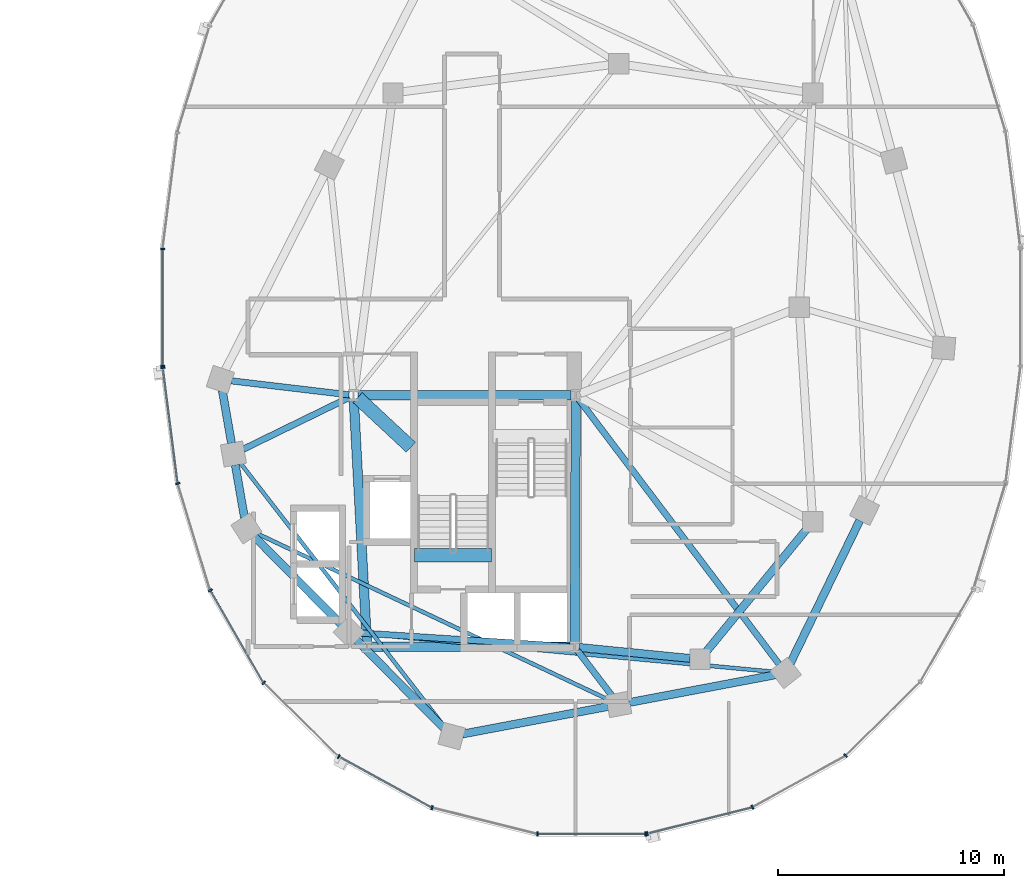
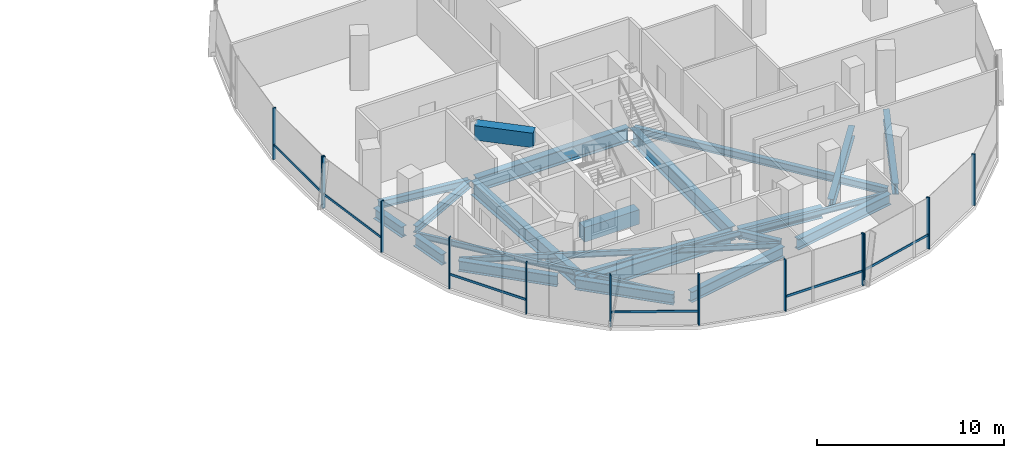
# One storey, part 6 of 22: 23 beams, 19 members, 3 elements without a shape of their own.
"""IFC4 building model written with IfcOpenShell, lengths in metres."""

import ifcopenshell
import ifcopenshell.guid

model = None  # the IFC model being written
_history = None  # IfcOwnerHistory: only IFC2X3 demands one
_inside = {}  # id of a spatial element -> (the spatial element, [elements in it])
_under = {}  # id of a project, library or spatial element -> (it, [spatial elements below it])
_declared = {}  # id of a project -> (the project, [libraries it declares])
_typed = {}  # id of a type object -> (the type object, [elements of that type])
_made_of = {}  # id of a material, layer set ... -> (it, [elements and type objects made of it])


def new_model(schema):
    """Start an empty IFC model of exactly this schema.

    Asked for "IFC4X3", IfcOpenShell would pick the latest addendum, in which some entities
    have other attributes; the version numbers below select the first issue.
    IFC2X3 requires an IfcOwnerHistory on every rooted entity: one is made here for all.
    """
    global model, _history
    if schema == "IFC4X3":
        model = ifcopenshell.file(schema_version=(4, 3, 0, 0))
    else:
        model = ifcopenshell.file(schema=schema)
    _inside.clear()
    _under.clear()
    _declared.clear()
    _typed.clear()
    _made_of.clear()
    _history = None
    if model.schema == "IFC2X3":
        org = make("IfcOrganization", Name="unknown")
        user = make(
            "IfcPersonAndOrganization",
            ThePerson=make("IfcPerson", FamilyName="unknown"),
            TheOrganization=org,
        )
        app = make(
            "IfcApplication",
            ApplicationDeveloper=org,
            Version="unknown",
            ApplicationFullName="unknown",
            ApplicationIdentifier="unknown",
        )
        _history = make(
            "IfcOwnerHistory",
            OwningUser=user,
            OwningApplication=app,
            ChangeAction="ADDED",
            CreationDate=0,
        )
    return model


def make(cls, **values):
    """One entity of the class cls with the attributes given. An attribute that is None is left unset."""
    return model.create_entity(
        cls, **{name: value for name, value in values.items() if value is not None}
    )


def rooted(cls, **values):
    """An entity with a GlobalId (a new one), such as an element, a storey or a relation."""
    return make(cls, GlobalId=ifcopenshell.guid.new(), OwnerHistory=_history, **values)


def si_unit(unit_type, name, prefix=None):
    """IfcSIUnit, for example si_unit("LENGTHUNIT", "METRE", prefix="MILLI")."""
    return make("IfcSIUnit", UnitType=unit_type, Prefix=prefix, Name=name)


def assignment(units):
    """IfcUnitAssignment: the units of a project."""
    return None if units is None else make("IfcUnitAssignment", Units=units)


def point(xyz):
    """IfcCartesianPoint."""
    return None if xyz is None else make("IfcCartesianPoint", Coordinates=xyz)


def direction(xyz):
    """IfcDirection."""
    return None if xyz is None else make("IfcDirection", DirectionRatios=xyz)


def frame(location, z_axis=None, x_axis=None):
    """IfcAxis2Placement3D, a coordinate frame: its origin and axes. An axis left out is left unset."""
    return make(
        "IfcAxis2Placement3D",
        Location=point(location),
        Axis=direction(z_axis),
        RefDirection=direction(x_axis),
    )


def frame_2d(location, x_axis=None):
    """IfcAxis2Placement2D, a coordinate frame in the plane: its origin and x axis."""
    return make(
        "IfcAxis2Placement2D", Location=point(location), RefDirection=direction(x_axis)
    )


def origin():
    """The frame at (0, 0, 0) with its axes left unset."""
    return frame((0.0, 0.0, 0.0))


def origin_2d():
    """The frame at (0, 0) in the plane with its x axis left unset."""
    return frame_2d((0.0, 0.0))


def place(relative_to, where):
    """IfcLocalPlacement: puts the frame where relative to a parent placement (None: the world)."""
    return make(
        "IfcLocalPlacement", PlacementRelTo=relative_to, RelativePlacement=where
    )


def context(
    kind, dimensions, precision=None, world=None, true_north=None, identifier=None
):
    """IfcGeometricRepresentationContext, for example the 3D "Model" context."""
    return make(
        "IfcGeometricRepresentationContext",
        ContextIdentifier=identifier,
        ContextType=kind,
        CoordinateSpaceDimension=dimensions,
        Precision=precision,
        WorldCoordinateSystem=world,
        TrueNorth=true_north,
    )


def subcontext(parent, identifier, kind, view, scale=None):
    """IfcGeometricRepresentationSubContext, for example "Body" below "Model"."""
    return make(
        "IfcGeometricRepresentationSubContext",
        ContextIdentifier=identifier,
        ContextType=kind,
        ParentContext=parent,
        TargetScale=scale,
        TargetView=view,
    )


def project(units=None, contexts=None):
    """IfcProject with its units and contexts."""
    return rooted(
        "IfcProject",
        Name="project",
        RepresentationContexts=contexts,
        UnitsInContext=assignment(units),
    )


def spatial(cls, under=None, at=None, **own):
    """A site, building, storey or space (cls), placed at a placement, below another one or the project."""
    s = rooted(cls, ObjectPlacement=at, **own)
    if under is not None:
        _under.setdefault(under.id(), (under, []))[1].append(s)
    return s


def profile(cls, at=None, kind="AREA", **sizes):
    """A parametric profile (cls). Its sizes go by their IFC names, for example OverallWidth=200.0."""
    return make(cls, ProfileType=kind, Position=at, **sizes)


def rectangle(**sizes):
    """IfcRectangleProfileDef."""
    return profile("IfcRectangleProfileDef", **sizes)


def i_section(**sizes):
    """IfcIShapeProfileDef."""
    return profile("IfcIShapeProfileDef", **sizes)


def extrude(swept, where, along, depth):
    """IfcExtrudedAreaSolid: the profile swept, set in the frame where, extruded along a direction by depth."""
    return make(
        "IfcExtrudedAreaSolid",
        SweptArea=swept,
        Position=where,
        ExtrudedDirection=direction(along),
        Depth=depth,
    )


def shape(context_of_items, identifier, shape_type, items):
    """IfcShapeRepresentation: the items that make up one representation, for example the "Body"."""
    return make(
        "IfcShapeRepresentation",
        ContextOfItems=context_of_items,
        RepresentationIdentifier=identifier,
        RepresentationType=shape_type,
        Items=items,
    )


def material(Name=None, Category=None):
    """IfcMaterial."""
    return make("IfcMaterial", Name=Name, Category=Category)


def material_profile(
    of_material, cross_section, Name=None, Category=None, Priority=None
):
    """IfcMaterialProfile: a cross section and its material."""
    return make(
        "IfcMaterialProfile",
        Name=Name,
        Material=of_material,
        Profile=cross_section,
        Priority=Priority,
        Category=Category,
    )


def profile_set(profiles, Name=None, composite=None):
    """IfcMaterialProfileSet."""
    return make(
        "IfcMaterialProfileSet",
        Name=Name,
        MaterialProfiles=profiles,
        CompositeProfile=composite,
    )


def made_of(thing, what):
    """Note that an element or type object is made of a material, layer set ...; save() writes the relation."""
    if what is not None:
        _made_of.setdefault(what.id(), (what, []))[1].append(thing)
    return thing


def type_object(cls, material=None, **own):
    """A type object (cls), such as IfcWallType, which elements share."""
    return made_of(rooted(cls, **own), material)


def element(
    cls,
    number,
    at=None,
    inside=None,
    cuts=None,
    type_object=None,
    material=None,
    context=None,
    identifier="Body",
    shape_type=None,
    held_by="IfcProductDefinitionShape",
    body=None,
    shapes=None,
    **own,
):
    """One element of the class cls, such as IfcWall. Its Tag is "e" and its number.

    at: its placement. inside: the storey or other place that contains it. cuts: it is an
    opening in that element (IfcRelVoidsElement). A single representation is given by context,
    identifier, shape_type and body (its items); several are given by shapes. held_by: the class
    of the entity that holds the representations. save() writes the other relations.
    """
    e = rooted(cls, Tag="e%d" % number, ObjectPlacement=at, **own)
    if body is not None:
        shapes = [shape(context, identifier, shape_type, body)]
    if shapes is not None:
        e.Representation = make(held_by, Representations=shapes)
    if inside is not None:
        _inside.setdefault(inside.id(), (inside, []))[1].append(e)
    if cuts is not None:
        rooted(
            "IfcRelVoidsElement", RelatingBuildingElement=cuts, RelatedOpeningElement=e
        )
    if type_object is not None:
        _typed.setdefault(type_object.id(), (type_object, []))[1].append(e)
    return made_of(e, material)


def aggregate(whole, parts):
    """IfcRelAggregates: a whole, such as a stair, and the parts it consists of."""
    return rooted("IfcRelAggregates", RelatingObject=whole, RelatedObjects=parts)


def save(model, path):
    """Write the relations noted so far, then the file.

    IfcRelAggregates (storeys below a building ...), IfcRelContainedInSpatialStructure (elements
    in a storey), IfcRelDefinesByType, IfcRelAssociatesMaterial and IfcRelDeclares: one each for
    every whole, place, type object, material and project.
    """
    for whole, parts in _under.values():
        aggregate(whole, parts)
    for where, things in _inside.values():
        rooted(
            "IfcRelContainedInSpatialStructure",
            RelatedElements=things,
            RelatingStructure=where,
        )
    for kind, things in _typed.values():
        rooted("IfcRelDefinesByType", RelatedObjects=things, RelatingType=kind)
    for what, things in _made_of.values():
        rooted("IfcRelAssociatesMaterial", RelatedObjects=things, RelatingMaterial=what)
    for by, libraries in _declared.values():
        rooted("IfcRelDeclares", RelatingContext=by, RelatedDefinitions=libraries)
    model.write(path)


model = new_model("IFC4")

# Units and contexts
model_context = context("Model", 3, precision=1e-05, world=origin(), true_north=direction((0.0, 1.0)))
body_context = subcontext(model_context, "Body", "Model", "MODEL_VIEW")
ifc_project = project(units=[si_unit("LENGTHUNIT", "METRE"), si_unit("AREAUNIT", "SQUARE_METRE"), si_unit("VOLUMEUNIT", "CUBIC_METRE"), si_unit("PLANEANGLEUNIT", "RADIAN"), si_unit("MASSUNIT", "GRAM", prefix="KILO"), si_unit("THERMODYNAMICTEMPERATUREUNIT", "KELVIN"), si_unit("POWERUNIT", "WATT")], contexts=[model_context])

# Site, building, storey
site_placement = place(None, origin())
site = spatial("IfcSite", under=ifc_project, at=site_placement, CompositionType="ELEMENT")
building_placement = place(site_placement, origin())
building = spatial("IfcBuilding", under=site, at=building_placement, Name="Cundina Bronze Exchange", CompositionType="ELEMENT")
storey_placement = place(building_placement, frame((0.0, 0.0, 162.0)))
storey = spatial("IfcBuildingStorey", under=building, at=storey_placement, Name="L42", CompositionType="ELEMENT", Elevation=162.0)

# Beams
ifc_material_1 = material(Name="Concrete C60/75", Category="concrete")
ifc_material_profile_1 = material_profile(ifc_material_1, rectangle(XDim=0.60009765625, YDim=0.949951171875, at=origin_2d()), Name="RC600X950", Category="concrete")
ifc_profile_set_1 = profile_set([ifc_material_profile_1], Name="Concrete C60/75")
beam_type_1 = type_object("IfcBeamType", Name="BM-COUP-RC950", PredefinedType="LINTEL", material=ifc_profile_set_1)
beam_1_placement = place(storey_placement, frame((24.159912109375, -10.97998046875, -0.47509765625), z_axis=(1.0, 0.0, 0.0), x_axis=(0.0, 1.0, 0.0)))
element("IfcBeam", 1, at=beam_1_placement, inside=storey, type_object=beam_type_1, Name="L42 Stair E2 Landing Header Beam", PredefinedType="LINTEL", context=body_context, shape_type="SweptSolid", body=[
    extrude(rectangle(XDim=0.60009765625, YDim=0.949951171875, at=origin_2d()), origin(), (0.0, 0.0, 1.0), 3.400146484375),
])
beam_2_placement = place(storey_placement, frame((21.6298828125, -4.0, 2.885009765625), z_axis=(0.731490439815, -0.681851696822, 0.0), x_axis=(0.681851696822, 0.731490439815, 0.0)))
element("IfcBeam", 2, at=beam_2_placement, inside=storey, type_object=beam_type_1, Name="L42 E Core Shear Coupling Lintel Beam", PredefinedType="LINTEL", context=body_context, shape_type="SweptSolid", body=[
    extrude(rectangle(XDim=0.60009765625, YDim=0.949951171875, at=origin_2d()), origin(), (0.0, 0.0, 1.0), 3.226318359375),
])
ifc_material_2 = material(Name="Steel ASTM A992 Grade 50", Category="steel")
ifc_material_profile_2 = material_profile(ifc_material_2, i_section(OverallWidth=0.280029296875, OverallDepth=0.462890625, WebThickness=0.0107421875, FlangeThickness=0.017333984375, FilletRadius=0.011962890625, at=origin_2d()), Name="W18X76", Category="steel")
ifc_profile_set_2 = profile_set([ifc_material_profile_2], Name="Steel ASTM A992 Grade 50")
beam_type_2 = type_object("IfcBeamType", Name="BM-FLR-W18A", PredefinedType="BEAM", material=ifc_profile_set_2)
beam_3_placement = place(storey_placement, frame((21.247314453125, -3.8759765625, -0.471435546875), z_axis=(-0.993036158382, 0.11780996624, 0.0), x_axis=(-0.11780996624, -0.993036158382, 0.0)))
element("IfcBeam", 3, at=beam_3_placement, inside=storey, type_object=beam_type_2, Name="L42 Leg E Chordal Floor Beam 00", PredefinedType="BEAM", context=body_context, shape_type="SweptSolid", body=[
    extrude(i_section(OverallWidth=0.280029296875, OverallDepth=0.462890625, WebThickness=0.0107421875, FlangeThickness=0.017333984375, FilletRadius=0.011962890625, at=origin_2d()), origin(), (0.0, 0.0, 1.0), 5.249267578125),
])
beam_4_placement = place(storey_placement, frame((21.2666015625, -3.989501953125, -0.471435546875), z_axis=(-0.898604300669, -0.438759969481, 0.0), x_axis=(0.438759969481, -0.898604300669, 0.0)))
element("IfcBeam", 4, at=beam_4_placement, inside=storey, type_object=beam_type_2, Name="L42 Leg E Chordal Floor Beam 01", PredefinedType="BEAM", context=body_context, shape_type="SweptSolid", body=[
    extrude(i_section(OverallWidth=0.280029296875, OverallDepth=0.462890625, WebThickness=0.0107421875, FlangeThickness=0.017333984375, FilletRadius=0.011962890625, at=origin_2d()), origin(), (0.0, 0.0, 1.0), 5.23388671875),
])
beam_5_placement = place(storey_placement, frame((31.04638671875, -15.036865234375, -0.471435546875), z_axis=(-0.99789334888, 0.064875760192, 0.0), x_axis=(-0.064875760192, -0.99789334888, 0.0)))
element("IfcBeam", 5, at=beam_5_placement, inside=storey, type_object=beam_type_2, Name="L42 Leg E Chordal Floor Beam 03", PredefinedType="BEAM", context=body_context, shape_type="SweptSolid", body=[
    extrude(i_section(OverallWidth=0.280029296875, OverallDepth=0.462890625, WebThickness=0.0107421875, FlangeThickness=0.017333984375, FilletRadius=0.011962890625, at=origin_2d()), origin(), (0.0, 0.0, 1.0), 9.328857421875),
])
beam_6_placement = place(storey_placement, frame((31.373779296875, -15.2119140625, -0.471435546875), z_axis=(0.607450107571, -0.794357832977, 0.0), x_axis=(0.794357832977, 0.607450107571, 0.0)))
element("IfcBeam", 6, at=beam_6_placement, inside=storey, type_object=beam_type_2, Name="L42 Leg E Chordal Floor Beam 05", PredefinedType="BEAM", context=body_context, shape_type="SweptSolid", body=[
    extrude(i_section(OverallWidth=0.280029296875, OverallDepth=0.462890625, WebThickness=0.0107421875, FlangeThickness=0.017333984375, FilletRadius=0.011962890625, at=origin_2d()), origin(), (0.0, 0.0, 1.0), 2.518310546875),
])
beam_7_placement = place(storey_placement, frame((31.423095703125, -4.062744140625, -0.471435546875), z_axis=(0.603103901721, -0.797662637792, 0.0), x_axis=(0.797662637792, 0.603103901721, 0.0)))
element("IfcBeam", 7, at=beam_7_placement, inside=storey, type_object=beam_type_2, Name="L42 Leg E Chordal Floor Beam 06", PredefinedType="BEAM", context=body_context, shape_type="SweptSolid", body=[
    extrude(i_section(OverallWidth=0.280029296875, OverallDepth=0.462890625, WebThickness=0.0107421875, FlangeThickness=0.017333984375, FilletRadius=0.011962890625, at=origin_2d()), origin(), (0.0, 0.0, 1.0), 14.72802734375),
])
ifc_material_profile_3 = material_profile(ifc_material_2, i_section(OverallWidth=0.172119140625, OverallDepth=0.35791015625, WebThickness=0.0078125, FlangeThickness=0.01318359375, FilletRadius=0.010009765625, at=origin_2d()), Name="W14X38", Category="steel")
ifc_profile_set_3 = profile_set([ifc_material_profile_3], Name="Steel ASTM A992 Grade 50")
beam_type_3 = type_object("IfcBeamType", Name="BM-JST-W14", PredefinedType="JOIST", material=ifc_profile_set_3)
beam_8_placement = place(storey_placement, frame((16.423583984375, -6.885986328125, -0.4189453125), z_axis=(0.61208354334, -0.790793105668, 0.0), x_axis=(0.790793105668, 0.61208354334, 0.0)))
element("IfcBeam", 8, at=beam_8_placement, inside=storey, type_object=beam_type_3, Name="L42 Leg E Lobe Floor Joist 01-04", PredefinedType="JOIST", context=body_context, shape_type="SweptSolid", body=[
    extrude(i_section(OverallWidth=0.172119140625, OverallDepth=0.35791015625, WebThickness=0.0078125, FlangeThickness=0.01318359375, FilletRadius=0.010009765625, at=origin_2d()), origin(), (0.0, 0.0, 1.0), 14.830810546875),
])
beam_9_placement = place(storey_placement, frame((17.14111328125, -10.008544921875, -0.4189453125), z_axis=(0.904074252188, -0.427375416385, 0.0), x_axis=(0.427375416385, 0.904074252188, 0.0)))
element("IfcBeam", 9, at=beam_9_placement, inside=storey, type_object=beam_type_3, Name="L42 Leg E Lobe Floor Joist 02-05", PredefinedType="JOIST", context=body_context, shape_type="SweptSolid", body=[
    extrude(i_section(OverallWidth=0.172119140625, OverallDepth=0.35791015625, WebThickness=0.0078125, FlangeThickness=0.01318359375, FilletRadius=0.010009765625, at=origin_2d()), origin(), (0.0, 0.0, 1.0), 17.274658203125),
])
beam_10_placement = place(storey_placement, frame((21.73583984375, -14.4453125, -0.4189453125), z_axis=(0.995701840093, -0.092616659595, 0.0), x_axis=(0.092616659595, 0.995701840093, 0.0)))
element("IfcBeam", 10, at=beam_10_placement, inside=storey, type_object=beam_type_3, Name="L42 Leg E Lobe Floor Joist 03-06", PredefinedType="JOIST", context=body_context, shape_type="SweptSolid", body=[
    extrude(i_section(OverallWidth=0.172119140625, OverallDepth=0.35791015625, WebThickness=0.0078125, FlangeThickness=0.01318359375, FilletRadius=0.010009765625, at=origin_2d()), origin(), (0.0, 0.0, 1.0), 18.45751953125),
])
ifc_material_profile_4 = material_profile(ifc_material_2, i_section(OverallWidth=0.35498046875, OverallDepth=0.695068359375, WebThickness=0.015380859375, FlangeThickness=0.02490234375, FilletRadius=0.01806640625, at=origin_2d()), Name="W27X146", Category="steel")
ifc_profile_set_4 = profile_set([ifc_material_profile_4], Name="Steel ASTM A992 Grade 50")
beam_type_4 = type_object("IfcBeamType", Name="BM-RING-W27", PredefinedType="USERDEFINED", material=ifc_profile_set_4)
beam_11_placement = place(storey_placement, frame((31.452880859375, -15.070068359375, -0.58740234375), z_axis=(0.995123020608, -0.098641643622, 0.0), x_axis=(0.098641643622, 0.995123020608, 0.0)))
element("IfcBeam", 11, at=beam_11_placement, inside=storey, type_object=beam_type_4, Name="L42 E Inner Structural Ring Girder 01", ObjectType="GIRDER", PredefinedType="USERDEFINED", context=body_context, shape_type="SweptSolid", body=[
    extrude(i_section(OverallWidth=0.35498046875, OverallDepth=0.695068359375, WebThickness=0.015380859375, FlangeThickness=0.02490234375, FilletRadius=0.01806640625, at=origin_2d()), origin(), (0.0, 0.0, 1.0), 4.935302734375),
])
beam_12_placement = place(storey_placement, frame((37.07763671875, -15.26123046875, -0.58740234375), z_axis=(0.633912590175, 0.77340469873, 0.0), x_axis=(-0.77340469873, 0.633912590175, 0.0)))
element("IfcBeam", 12, at=beam_12_placement, inside=storey, type_object=beam_type_4, Name="L42 E Inner Structural Ring Girder 02", ObjectType="GIRDER", PredefinedType="USERDEFINED", context=body_context, shape_type="SweptSolid", body=[
    extrude(i_section(OverallWidth=0.35498046875, OverallDepth=0.695068359375, WebThickness=0.015380859375, FlangeThickness=0.02490234375, FilletRadius=0.01806640625, at=origin_2d()), origin(), (0.0, 0.0, 1.0), 7.01123046875),
])
for number, where, z_axis, x_axis, name in (
    (13, (15.6337890625, -3.680908203125, -0.58740234375), (0.171666718895, -0.985155083032, 0.0), (0.985155083032, 0.171666718895, 0.0), "L42 E Perimeter Ring Girder 00"),
    (14, (16.208740234375, -6.980712890625, -0.58740234375), (0.171666718895, -0.985155083032, 0.0), (0.985155083032, 0.171666718895, 0.0), "L42 E Perimeter Ring Girder 01"),
):
    element("IfcBeam", number, at=place(storey_placement, frame(where, z_axis=z_axis, x_axis=x_axis)), inside=storey, type_object=beam_type_4, Name=name, ObjectType="GIRDER", PredefinedType="USERDEFINED", context=body_context, shape_type="SweptSolid", body=[
        extrude(i_section(OverallWidth=0.35498046875, OverallDepth=0.695068359375, WebThickness=0.015380859375, FlangeThickness=0.02490234375, FilletRadius=0.01806640625, at=origin_2d()), origin(), (0.0, 0.0, 1.0), 2.37353515625),
    ])
beam_13_placement = place(storey_placement, frame((17.043212890625, -10.14697265625, -0.58740234375), z_axis=(0.703230112979, -0.710962311378, 0.0), x_axis=(0.710962311378, 0.703230112979, 0.0)))
element("IfcBeam", 15, at=beam_13_placement, inside=storey, type_object=beam_type_4, Name="L42 E Perimeter Ring Girder 02", ObjectType="GIRDER", PredefinedType="USERDEFINED", context=body_context, shape_type="SweptSolid", body=[
    extrude(i_section(OverallWidth=0.35498046875, OverallDepth=0.695068359375, WebThickness=0.015380859375, FlangeThickness=0.02490234375, FilletRadius=0.01806640625, at=origin_2d()), origin(), (0.0, 0.0, 1.0), 5.493896484375),
])
beam_14_placement = place(storey_placement, frame((21.59326171875, -14.746826171875, -0.58740234375), z_axis=(0.703207895705, -0.710984286337, 0.0), x_axis=(0.710984286337, 0.703207895705, 0.0)))
element("IfcBeam", 16, at=beam_14_placement, inside=storey, type_object=beam_type_4, Name="L42 E Perimeter Ring Girder 03", ObjectType="GIRDER", PredefinedType="USERDEFINED", context=body_context, shape_type="SweptSolid", body=[
    extrude(i_section(OverallWidth=0.35498046875, OverallDepth=0.695068359375, WebThickness=0.015380859375, FlangeThickness=0.02490234375, FilletRadius=0.01806640625, at=origin_2d()), origin(), (0.0, 0.0, 1.0), 5.494140625),
])
beam_15_placement = place(storey_placement, frame((26.279541015625, -18.9091796875, -0.58740234375), z_axis=(0.982571532667, 0.185884865421, 0.0), x_axis=(-0.185884865421, 0.982571532667, 0.0)))
element("IfcBeam", 17, at=beam_15_placement, inside=storey, type_object=beam_type_4, Name="L42 E Perimeter Ring Girder 04", ObjectType="GIRDER", PredefinedType="USERDEFINED", context=body_context, shape_type="SweptSolid", body=[
    extrude(i_section(OverallWidth=0.35498046875, OverallDepth=0.695068359375, WebThickness=0.015380859375, FlangeThickness=0.02490234375, FilletRadius=0.01806640625, at=origin_2d()), origin(), (0.0, 0.0, 1.0), 6.55517578125),
])
beam_16_placement = place(storey_placement, frame((33.679443359375, -17.50927734375, -0.58740234375), z_axis=(0.982572819495, 0.185878063226, 0.0), x_axis=(-0.185878063226, 0.982572819495, 0.0)))
element("IfcBeam", 18, at=beam_16_placement, inside=storey, type_object=beam_type_4, Name="L42 E Perimeter Ring Girder 05", ObjectType="GIRDER", PredefinedType="USERDEFINED", context=body_context, shape_type="SweptSolid", body=[
    extrude(i_section(OverallWidth=0.35498046875, OverallDepth=0.695068359375, WebThickness=0.015380859375, FlangeThickness=0.02490234375, FilletRadius=0.01806640625, at=origin_2d()), origin(), (0.0, 0.0, 1.0), 6.555419921875),
])
beam_17_placement = place(storey_placement, frame((40.8134765625, -15.760986328125, -0.58740234375), z_axis=(0.437196998825, 0.89936576776, 0.0), x_axis=(-0.89936576776, 0.437196998825, 0.0)))
element("IfcBeam", 19, at=beam_17_placement, inside=storey, type_object=beam_type_4, Name="L42 E Perimeter Ring Girder 06", ObjectType="GIRDER", PredefinedType="USERDEFINED", context=body_context, shape_type="SweptSolid", body=[
    extrude(i_section(OverallWidth=0.35498046875, OverallDepth=0.695068359375, WebThickness=0.015380859375, FlangeThickness=0.02490234375, FilletRadius=0.01806640625, at=origin_2d()), origin(), (0.0, 0.0, 1.0), 7.029541015625),
])
ifc_material_profile_5 = material_profile(ifc_material_2, i_section(OverallWidth=0.41796875, OverallDepth=0.927001953125, WebThickness=0.019287109375, FlangeThickness=0.031982421875, FilletRadius=0.02392578125, at=origin_2d()), Name="W36X231", Category="steel")
ifc_profile_set_5 = profile_set([ifc_material_profile_5], Name="Steel ASTM A992 Grade 50")
beam_type_5 = type_object("IfcBeamType", Name="BM-WRN-W36B", PredefinedType="USERDEFINED", material=ifc_profile_set_5)
beam_18_placement = place(storey_placement, frame((31.095947265625, -3.89990234375, -0.70361328125), z_axis=(-1.0, 0.0, 0.0), x_axis=(0.0, -1.0, 0.0)))
element("IfcBeam", 20, at=beam_18_placement, inside=storey, type_object=beam_type_5, Name="L42 E Core Perimeter Tie Girder 1", ObjectType="GIRDER", PredefinedType="USERDEFINED", context=body_context, shape_type="SweptSolid", body=[
    extrude(i_section(OverallWidth=0.41796875, OverallDepth=0.927001953125, WebThickness=0.019287109375, FlangeThickness=0.031982421875, FilletRadius=0.02392578125, at=origin_2d()), origin(), (0.0, 0.0, 1.0), 9.44189453125),
])
beam_19_placement = place(storey_placement, frame((21.4609375, -4.103759765625, -0.70361328125), z_axis=(0.053739193498, -0.998555005537, 0.0), x_axis=(0.998555005537, 0.053739193498, 0.0)))
element("IfcBeam", 21, at=beam_19_placement, inside=storey, type_object=beam_type_5, Name="L42 E Core Perimeter Tie Girder 2", ObjectType="GIRDER", PredefinedType="USERDEFINED", context=body_context, shape_type="SweptSolid", body=[
    extrude(i_section(OverallWidth=0.41796875, OverallDepth=0.927001953125, WebThickness=0.019287109375, FlangeThickness=0.031982421875, FilletRadius=0.02392578125, at=origin_2d()), origin(), (0.0, 0.0, 1.0), 10.758056640625),
])
beam_20_placement = place(storey_placement, frame((22.25390625, -15.050048828125, -0.70361328125), z_axis=(1.0, 0.0, 0.0), x_axis=(0.0, 1.0, 0.0)))
element("IfcBeam", 22, at=beam_20_placement, inside=storey, type_object=beam_type_5, Name="L42 E Core Perimeter Tie Girder 3", ObjectType="GIRDER", PredefinedType="USERDEFINED", context=body_context, shape_type="SweptSolid", body=[
    extrude(i_section(OverallWidth=0.41796875, OverallDepth=0.927001953125, WebThickness=0.019287109375, FlangeThickness=0.031982421875, FilletRadius=0.02392578125, at=origin_2d()), origin(), (0.0, 0.0, 1.0), 8.7919921875),
])
beam_21_placement = place(storey_placement, frame((31.2509765625, -14.845947265625, -0.70361328125), z_axis=(0.004477329608, 0.99998997671, 0.0), x_axis=(-0.99998997671, 0.004477329608, 0.0)))
element("IfcBeam", 23, at=beam_21_placement, inside=storey, type_object=beam_type_5, Name="L42 E Core Perimeter Tie Girder 4", ObjectType="GIRDER", PredefinedType="USERDEFINED", context=body_context, shape_type="SweptSolid", body=[
    extrude(i_section(OverallWidth=0.41796875, OverallDepth=0.927001953125, WebThickness=0.019287109375, FlangeThickness=0.031982421875, FilletRadius=0.02392578125, at=origin_2d()), origin(), (0.0, 0.0, 1.0), 10.741943359375),
])

# Curtain wall, members
ifc_material_3 = material(Name="Anodised Bronze Aluminium 6063-T6", Category="aluminium")
curtain_wall_type = type_object("IfcCurtainWallType", Name="CWS-WST-PIN", PredefinedType="NOTDEFINED", material=ifc_material_3)
curtain_wall_1_placement = place(storey_placement, origin())
curtain_wall_1 = element("IfcCurtainWall", 24, at=curtain_wall_1_placement, inside=storey, type_object=curtain_wall_type, Name="L42 CW-04 Curtain Wall Run CWR-L42-E2", PredefinedType="NOTDEFINED")
ifc_material_profile_6 = material_profile(ifc_material_3, rectangle(XDim=0.070068359375, YDim=0.18994140625, at=origin_2d()), Name="AL70X190", Category="aluminium")
ifc_profile_set_6 = profile_set([ifc_material_profile_6], Name="Anodised Bronze Aluminium 6063-T6")
member_type_1 = type_object("IfcMemberType", Name="CWM-MUL-190", PredefinedType="MULLION", material=ifc_profile_set_6)
member_1_placement = place(storey_placement, frame((12.992919921875, 2.593017578125, 0.0), z_axis=(0.0, 0.0, 1.0), x_axis=(0.0, -1.0, 0.0)))
member_1 = element("IfcMember", 25, at=member_1_placement, type_object=member_type_1, Name="CW-04 Mullion 7", PredefinedType="MULLION", context=body_context, shape_type="SweptSolid", body=[
    extrude(rectangle(XDim=0.070068359375, YDim=0.18994140625, at=origin_2d()), origin(), (0.0, 0.0, 1.0), 3.360107421875),
])
member_2_placement = place(storey_placement, frame((12.992919921875, -2.593017578125, 0.0), z_axis=(0.0, 0.0, 1.0), x_axis=(0.0, -1.0, 0.0)))
member_2 = element("IfcMember", 26, at=member_2_placement, type_object=member_type_1, Name="CW-04 End Mullion", PredefinedType="MULLION", context=body_context, shape_type="SweptSolid", body=[
    extrude(rectangle(XDim=0.070068359375, YDim=0.18994140625, at=origin_2d()), origin(), (0.0, 0.0, 1.0), 3.360107421875),
])

curtain_wall_2_placement = place(storey_placement, origin())
curtain_wall_2 = element("IfcCurtainWall", 27, at=curtain_wall_2_placement, inside=storey, type_object=curtain_wall_type, Name="L42 CW-04 Curtain Wall Run CWR-L42-E3", PredefinedType="NOTDEFINED")
member_3_placement = place(storey_placement, frame((12.998291015625, -2.676025390625, 0.0), z_axis=(0.0, 0.0, 1.0), x_axis=(0.126545236492, -0.991960837494, 0.0)))
member_3 = element("IfcMember", 28, at=member_3_placement, type_object=member_type_1, Name="CW-04 Mullion 1", PredefinedType="MULLION", context=body_context, shape_type="SweptSolid", body=[
    extrude(rectangle(XDim=0.070068359375, YDim=0.18994140625, at=origin_2d()), origin(), (0.0, 0.0, 1.0), 3.360107421875),
])
member_4_placement = place(storey_placement, frame((13.6591796875, -7.80859375, 0.0), z_axis=(0.0, 0.0, 1.0), x_axis=(0.290034140915, -0.957016299288, 0.0)))
member_4 = element("IfcMember", 29, at=member_4_placement, type_object=member_type_1, Name="CW-04 Mullion 2", PredefinedType="MULLION", context=body_context, shape_type="SweptSolid", body=[
    extrude(rectangle(XDim=0.070068359375, YDim=0.18994140625, at=origin_2d()), origin(), (0.0, 0.0, 1.0), 3.360107421875),
])
member_5_placement = place(storey_placement, frame((15.10205078125, -12.541259765625, 0.0), z_axis=(0.0, 0.0, 1.0), x_axis=(0.498487739754, -0.866896748936, 0.0)))
member_5 = element("IfcMember", 30, at=member_5_placement, type_object=member_type_1, Name="CW-04 Mullion 3", PredefinedType="MULLION", context=body_context, shape_type="SweptSolid", body=[
    extrude(rectangle(XDim=0.070068359375, YDim=0.18994140625, at=origin_2d()), origin(), (0.0, 0.0, 1.0), 3.360107421875),
])
member_6_placement = place(storey_placement, frame((17.469482421875, -16.640380859375, 0.0), z_axis=(0.0, 0.0, 1.0), x_axis=(0.712026045991, -0.702153052995, 0.0)))
member_6 = element("IfcMember", 31, at=member_6_placement, type_object=member_type_1, Name="CW-04 Mullion 4", PredefinedType="MULLION", context=body_context, shape_type="SweptSolid", body=[
    extrude(rectangle(XDim=0.070068359375, YDim=0.18994140625, at=origin_2d()), origin(), (0.0, 0.0, 1.0), 3.360107421875),
])
member_7_placement = place(storey_placement, frame((20.79345703125, -19.906005859375, 0.0), z_axis=(0.0, 0.0, 1.0), x_axis=(0.875885937035, -0.482518212408, 0.0)))
member_7 = element("IfcMember", 32, at=member_7_placement, type_object=member_type_1, Name="CW-04 Mullion 5", PredefinedType="MULLION", context=body_context, shape_type="SweptSolid", body=[
    extrude(rectangle(XDim=0.070068359375, YDim=0.18994140625, at=origin_2d()), origin(), (0.0, 0.0, 1.0), 3.360107421875),
])
member_8_placement = place(storey_placement, frame((24.932373046875, -22.17626953125, 0.0), z_axis=(0.0, 0.0, 1.0), x_axis=(0.970084240161, -0.242768546132, 0.0)))
member_8 = element("IfcMember", 33, at=member_8_placement, type_object=member_type_1, Name="CW-04 Mullion 6", PredefinedType="MULLION", context=body_context, shape_type="SweptSolid", body=[
    extrude(rectangle(XDim=0.070068359375, YDim=0.18994140625, at=origin_2d()), origin(), (0.0, 0.0, 1.0), 3.360107421875),
])
member_9_placement = place(storey_placement, frame((29.60595703125, -23.3369140625, 0.0), z_axis=(0.0, 0.0, 1.0), x_axis=(1.0, 0.0, 0.0)))
member_9 = element("IfcMember", 34, at=member_9_placement, type_object=member_type_1, Name="CW-04 Mullion 7", PredefinedType="MULLION", context=body_context, shape_type="SweptSolid", body=[
    extrude(rectangle(XDim=0.070068359375, YDim=0.18994140625, at=origin_2d()), origin(), (0.0, 0.0, 1.0), 3.360107421875),
])
member_10_placement = place(storey_placement, frame((34.39404296875, -23.3369140625, 0.0), z_axis=(0.0, 0.0, 1.0), x_axis=(1.0, 0.0, 0.0)))
member_10 = element("IfcMember", 35, at=member_10_placement, type_object=member_type_1, Name="CW-04 End Mullion", PredefinedType="MULLION", context=body_context, shape_type="SweptSolid", body=[
    extrude(rectangle(XDim=0.070068359375, YDim=0.18994140625, at=origin_2d()), origin(), (0.0, 0.0, 1.0), 3.360107421875),
])

curtain_wall_3_placement = place(storey_placement, origin())
curtain_wall_3 = element("IfcCurtainWall", 36, at=curtain_wall_3_placement, inside=storey, type_object=curtain_wall_type, Name="L42 CW-04 Curtain Wall Run CWR-L42-E4", PredefinedType="NOTDEFINED")
member_11_placement = place(storey_placement, frame((34.462646484375, -23.32861328125, 0.0), z_axis=(0.0, 0.0, 1.0), x_axis=(0.970084240161, 0.242768546132, 0.0)))
member_11 = element("IfcMember", 37, at=member_11_placement, type_object=member_type_1, Name="CW-04 Mullion 1", PredefinedType="MULLION", context=body_context, shape_type="SweptSolid", body=[
    extrude(rectangle(XDim=0.070068359375, YDim=0.18994140625, at=origin_2d()), origin(), (0.0, 0.0, 1.0), 3.360107421875),
])
member_12_placement = place(storey_placement, frame((39.13037109375, -22.151611328125, 0.0), z_axis=(0.0, 0.0, 1.0), x_axis=(0.875885937035, 0.482518212408, 0.0)))
member_12 = element("IfcMember", 38, at=member_12_placement, type_object=member_type_1, Name="CW-04 Mullion 2", PredefinedType="MULLION", context=body_context, shape_type="SweptSolid", body=[
    extrude(rectangle(XDim=0.070068359375, YDim=0.18994140625, at=origin_2d()), origin(), (0.0, 0.0, 1.0), 3.360107421875),
])
member_13_placement = place(storey_placement, frame((43.259033203125, -19.86669921875, 0.0), z_axis=(0.0, 0.0, 1.0), x_axis=(0.712026045991, 0.702153052995, 0.0)))
member_13 = element("IfcMember", 39, at=member_13_placement, type_object=member_type_1, Name="CW-04 Mullion 3", PredefinedType="MULLION", context=body_context, shape_type="SweptSolid", body=[
    extrude(rectangle(XDim=0.070068359375, YDim=0.18994140625, at=origin_2d()), origin(), (0.0, 0.0, 1.0), 3.360107421875),
])

# Member
ifc_material_profile_7 = material_profile(ifc_material_3, rectangle(XDim=0.06494140625, YDim=0.14990234375, at=origin_2d()), Name="AL65X150", Category="aluminium")
ifc_profile_set_7 = profile_set([ifc_material_profile_7], Name="Anodised Bronze Aluminium 6063-T6")
member_type_2 = type_object("IfcMemberType", Name="CWM-TRN-150", PredefinedType="USERDEFINED", material=ifc_profile_set_7)
member_14_placement = place(storey_placement, frame((12.992919921875, 2.554443359375, 0.919921875), z_axis=(0.0, -1.0, 0.0), x_axis=(1.0, 0.0, 0.0)))
member_14 = element("IfcMember", 40, at=member_14_placement, type_object=member_type_2, Name="CW-04 Spandrel Transom 7", ObjectType="TRANSOM", PredefinedType="USERDEFINED", context=body_context, shape_type="SweptSolid", body=[
    extrude(rectangle(XDim=0.06494140625, YDim=0.14990234375, at=origin_2d()), origin(), (0.0, 0.0, 1.0), 5.10888671875),
])

aggregate(curtain_wall_1, [member_1, member_2, member_14])

member_15_placement = place(storey_placement, frame((13.003173828125, -2.71435546875, 0.919921875), z_axis=(0.12646340362, -0.991971273548, 0.0), x_axis=(0.991971273548, 0.12646340362, 0.0)))
member_15 = element("IfcMember", 41, at=member_15_placement, type_object=member_type_2, Name="CW-04 Spandrel Transom 1", ObjectType="TRANSOM", PredefinedType="USERDEFINED", context=body_context, shape_type="SweptSolid", body=[
    extrude(rectangle(XDim=0.06494140625, YDim=0.14990234375, at=origin_2d()), origin(), (0.0, 0.0, 1.0), 5.0966796875),
])

member_16_placement = place(storey_placement, frame((15.121337890625, -12.574462890625, 0.919921875), z_axis=(0.498479967047, -0.866901218394, 0.0), x_axis=(0.866901218394, 0.498479967047, 0.0)))
member_16 = element("IfcMember", 42, at=member_16_placement, type_object=member_type_2, Name="CW-04 Spandrel Transom 3", ObjectType="TRANSOM", PredefinedType="USERDEFINED", context=body_context, shape_type="SweptSolid", body=[
    extrude(rectangle(XDim=0.06494140625, YDim=0.14990234375, at=origin_2d()), origin(), (0.0, 0.0, 1.0), 4.66845703125),
])

member_17_placement = place(storey_placement, frame((20.8271484375, -19.924560546875, 0.919921875), z_axis=(0.875878981549, -0.482530838062, 0.0), x_axis=(0.482530838062, 0.875878981549, 0.0)))
member_17 = element("IfcMember", 43, at=member_17_placement, type_object=member_type_2, Name="CW-04 Spandrel Transom 5", ObjectType="TRANSOM", PredefinedType="USERDEFINED", context=body_context, shape_type="SweptSolid", body=[
    extrude(rectangle(XDim=0.06494140625, YDim=0.14990234375, at=origin_2d()), origin(), (0.0, 0.0, 1.0), 4.65380859375),
])

member_18_placement = place(storey_placement, frame((29.64453125, -23.3369140625, 0.919921875), z_axis=(1.0, 0.0, 0.0), x_axis=(0.0, 1.0, 0.0)))
member_18 = element("IfcMember", 44, at=member_18_placement, type_object=member_type_2, Name="CW-04 Spandrel Transom 7", ObjectType="TRANSOM", PredefinedType="USERDEFINED", context=body_context, shape_type="SweptSolid", body=[
    extrude(rectangle(XDim=0.06494140625, YDim=0.14990234375, at=origin_2d()), origin(), (0.0, 0.0, 1.0), 4.7109375),
])

aggregate(curtain_wall_2, [member_3, member_15, member_4, member_5, member_16, member_6, member_7, member_17, member_8, member_9, member_10, member_18])

member_19_placement = place(storey_placement, frame((34.5, -23.319091796875, 0.919921875), z_axis=(0.970100130035, 0.242705042606, 0.0), x_axis=(-0.242705042606, 0.970100130035, 0.0)))
member_19 = element("IfcMember", 45, at=member_19_placement, type_object=member_type_2, Name="CW-04 Spandrel Transom 1", ObjectType="TRANSOM", PredefinedType="USERDEFINED", context=body_context, shape_type="SweptSolid", body=[
    extrude(rectangle(XDim=0.06494140625, YDim=0.14990234375, at=origin_2d()), origin(), (0.0, 0.0, 1.0), 4.746826171875),
])

aggregate(curtain_wall_3, [member_11, member_19, member_12, member_13])

save(model, "model.ifc")
